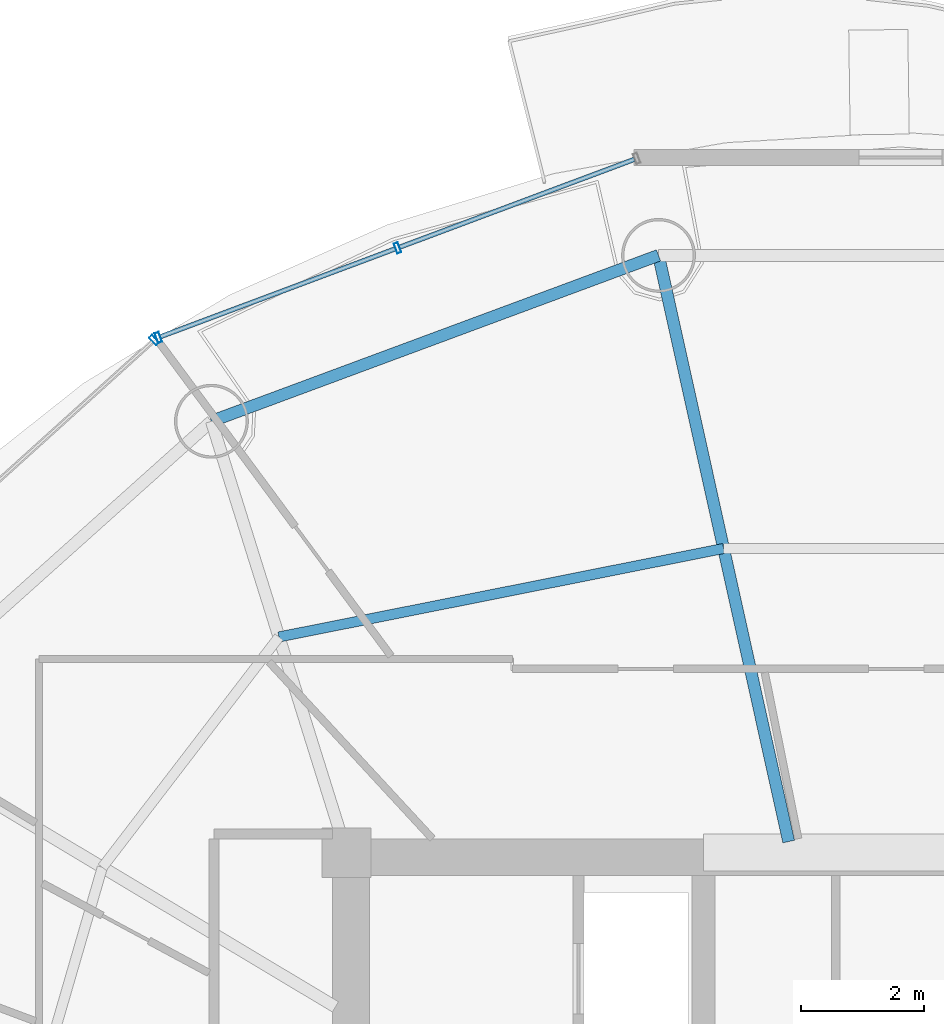
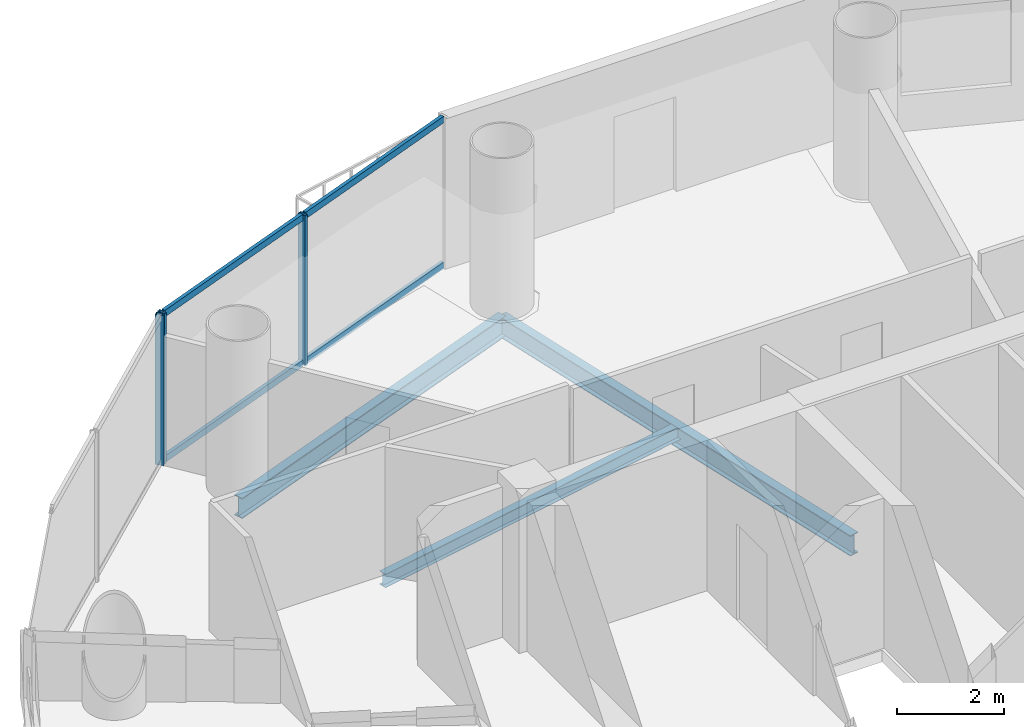
# One storey, part 15 of 26: 7 members, 3 beams, 2 elements without a shape of their own.
"""IFC4 building model written with IfcOpenShell, lengths in metres."""

from ifc_helpers import new_model, si_unit, direction, frame, origin, origin_2d, place, context, subcontext, project, spatial, hollow_rectangle, i_section, extrude, source, transform, mapped, material, material_profile, profile_set, type_object, element, aggregate, save


model = new_model("IFC4")

# Units and contexts
model_context = context("Model", 3, precision=1e-05, world=origin(), true_north=direction((-0.2419218956, 0.970295726276)))
body_context = subcontext(model_context, "Body", "Model", "MODEL_VIEW")
ifc_project = project(units=[si_unit("LENGTHUNIT", "METRE"), si_unit("AREAUNIT", "SQUARE_METRE"), si_unit("VOLUMEUNIT", "CUBIC_METRE"), si_unit("PLANEANGLEUNIT", "RADIAN"), si_unit("MASSUNIT", "GRAM", prefix="KILO")], contexts=[model_context])

# Site, building, storey
site_placement = place(None, origin())
site = spatial("IfcSite", under=ifc_project, at=site_placement, CompositionType="ELEMENT")
building_placement = place(site_placement, origin())
building = spatial("IfcBuilding", under=site, at=building_placement, Name="Cobrevalo Terracotta Tower", CompositionType="ELEMENT")
storey_placement = place(building_placement, frame((0.0, 0.0, 217.10009765625)))
storey = spatial("IfcBuildingStorey", under=building, at=storey_placement, Name="L57", CompositionType="ELEMENT", Elevation=217.10009765625)

# Beams
ifc_material_1 = material(Name="Steel S355", Category="steel")
ifc_material_profile_1 = material_profile(ifc_material_1, i_section(OverallWidth=0.194091796875, OverallDepth=0.468994140625, WebThickness=0.011474609375, FlangeThickness=0.0205078125, at=origin_2d()), Name="W 460x106")
ifc_profile_set_1 = profile_set([ifc_material_profile_1], Name="Steel S355")
beam_type_1 = type_object("IfcBeamType", Name="Structural Beam W 460x106 (Steel S355)", PredefinedType="BEAM", material=ifc_profile_set_1)
beam_1_placement = place(storey_placement, frame((34.06884765625, 44.503173828125, -0.49951171875), z_axis=(0.216782061165, -0.976220025382, 0.0), x_axis=(0.976220025382, 0.216782061165, 0.0)))
element("IfcBeam", 1, at=beam_1_placement, inside=storey, type_object=beam_type_1, Name="L57 radial floor girder 05", PredefinedType="BEAM", context=body_context, shape_type="SweptSolid", body=[
    extrude(i_section(OverallWidth=0.194091796875, OverallDepth=0.468994140625, WebThickness=0.011474609375, FlangeThickness=0.0205078125, at=origin_2d()), origin(), (0.0, 0.0, 1.0), 9.755126953125),
])
ifc_material_profile_2 = material_profile(ifc_material_1, i_section(OverallWidth=0.1650390625, OverallDepth=0.31005859375, WebThickness=0.005859375, FlangeThickness=0.009765625, at=origin_2d()), Name="W 310x38.7")
ifc_profile_set_2 = profile_set([ifc_material_profile_2], Name="Steel S355")
beam_type_2 = type_object("IfcBeamType", Name="Structural Joist W 310x38.7 (Steel S355)", PredefinedType="JOIST", material=ifc_profile_set_2)
beam_2_placement = place(storey_placement, frame((35.126220703125, 39.74169921875, -0.420166015625), z_axis=(-0.980762562197, -0.195204499418, 0.0), x_axis=(0.195204499418, -0.980762562197, 0.0)))
element("IfcBeam", 2, at=beam_2_placement, inside=storey, type_object=beam_type_2, Name="L57 circumferential secondary floor joist 05", PredefinedType="JOIST", context=body_context, shape_type="SweptSolid", body=[
    extrude(i_section(OverallWidth=0.1650390625, OverallDepth=0.31005859375, WebThickness=0.005859375, FlangeThickness=0.009765625, at=origin_2d()), origin(), (0.0, 0.0, 1.0), 7.365234375),
])
ifc_material_profile_3 = material_profile(ifc_material_1, i_section(OverallWidth=0.194091796875, OverallDepth=0.468994140625, WebThickness=0.011474609375, FlangeThickness=0.0205078125, at=origin_2d()), Name="W 460x106")
ifc_profile_set_3 = profile_set([ifc_material_profile_3], Name="Steel S355")
beam_type_3 = type_object("IfcBeamType", Name="Structural Spandrel W 460x106 (Steel S355)", PredefinedType="SPANDREL", material=ifc_profile_set_3)
beam_3_placement = place(storey_placement, frame((34.06884765625, 44.503173828125, -0.49951171875), z_axis=(-0.937545996665, -0.347861328892, 0.0), x_axis=(0.347861328892, -0.937545996665, 0.0)))
element("IfcBeam", 3, at=beam_3_placement, inside=storey, type_object=beam_type_3, Name="L57 perimeter ring spandrel 05", PredefinedType="SPANDREL", context=body_context, shape_type="SweptSolid", body=[
    extrude(i_section(OverallWidth=0.194091796875, OverallDepth=0.468994140625, WebThickness=0.011474609375, FlangeThickness=0.0205078125, at=origin_2d()), origin(), (0.0, 0.0, 1.0), 7.74755859375),
])

# Curtain wall, members
ifc_material_2 = material(Name="Anodized aluminium", Category="aluminium")
curtain_wall_type = type_object("IfcCurtainWallType", Name="Mid-tower high-wind unitised curtain wall CW-U2", PredefinedType="NOTDEFINED", material=ifc_material_2)
curtain_wall_1_placement = place(storey_placement, origin())
curtain_wall_1 = element("IfcCurtainWall", 4, at=curtain_wall_1_placement, inside=storey, type_object=curtain_wall_type, Name="L57 curtain wall CW-L57-S05", PredefinedType="NOTDEFINED")
ifc_material_profile_4 = material_profile(ifc_material_2, hollow_rectangle(XDim=0.074951171875, YDim=0.14990234375, WallThickness=0.00439453125, at=origin_2d()), Name="CWT 75x150")
ifc_profile_set_4 = profile_set([ifc_material_profile_4], Name="Anodized aluminium")
member_type_1 = type_object("IfcMemberType", Name="Tower unitised aluminium transom 75x150", PredefinedType="USERDEFINED", material=ifc_profile_set_4)
shared_shape_1 = source(origin(), body_context, "Body", "SweptSolid", [
    extrude(hollow_rectangle(XDim=0.074951171875, YDim=0.14990234375, WallThickness=0.00439453125, at=origin_2d()), origin(), (0.0, 0.0, 1.0), 4.069580078125),
])
member_1_placement = place(storey_placement, frame((29.79150390625, 44.609619140625, 0.0498046875), z_axis=(-0.936548420649, -0.350538237259, 0.0), x_axis=(0.350538237259, -0.936548420649, 0.0)))
member_1 = element("IfcMember", 5, at=member_1_placement, type_object=member_type_1, Name="CW-L57-S05 transom B02-T1", ObjectType="TRANSOM", PredefinedType="USERDEFINED", context=body_context, shape_type="MappedRepresentation", body=[
    mapped(shared_shape_1, transform((0.0, 0.0, 0.0), scale=1.0)),
])
member_2_placement = place(storey_placement, frame((29.79150390625, 44.609619140625, 3.385009765625), z_axis=(-0.936548420649, -0.350538237259, 0.0), x_axis=(0.350538237259, -0.936548420649, 0.0)))
member_2 = element("IfcMember", 6, at=member_2_placement, type_object=member_type_1, Name="CW-L57-S05 transom B02-T2", ObjectType="TRANSOM", PredefinedType="USERDEFINED", context=body_context, shape_type="MappedRepresentation", body=[
    mapped(shared_shape_1, transform((0.0, 0.0, 0.0), scale=1.0)),
])
shared_shape_2 = source(origin(), body_context, "Body", "SweptSolid", [
    extrude(hollow_rectangle(XDim=0.074951171875, YDim=0.14990234375, WallThickness=0.00439453125, at=origin_2d()), origin(), (0.0, 0.0, 1.0), 4.06982421875),
])
member_3_placement = place(storey_placement, frame((33.677978515625, 46.06396484375, 0.0498046875), z_axis=(-0.936555791772, -0.350518542873, 0.0), x_axis=(0.350518542873, -0.936555791772, 0.0)))
member_3 = element("IfcMember", 7, at=member_3_placement, type_object=member_type_1, Name="CW-L57-S05 transom B01-T1", ObjectType="TRANSOM", PredefinedType="USERDEFINED", context=body_context, shape_type="MappedRepresentation", body=[
    mapped(shared_shape_2, transform((0.0, 0.0, 0.0), scale=1.0)),
])
member_4_placement = place(storey_placement, frame((33.677978515625, 46.06396484375, 3.385009765625), z_axis=(-0.936555791772, -0.350518542873, 0.0), x_axis=(0.350518542873, -0.936555791772, 0.0)))
member_4 = element("IfcMember", 8, at=member_4_placement, type_object=member_type_1, Name="CW-L57-S05 transom B01-T2", ObjectType="TRANSOM", PredefinedType="USERDEFINED", context=body_context, shape_type="MappedRepresentation", body=[
    mapped(shared_shape_2, transform((0.0, 0.0, 0.0), scale=1.0)),
])
ifc_material_profile_5 = material_profile(ifc_material_2, hollow_rectangle(XDim=0.070068359375, YDim=0.169921875, WallThickness=0.00439453125, at=origin_2d()), Name="CWM 70x170")
ifc_profile_set_5 = profile_set([ifc_material_profile_5], Name="Anodized aluminium")
member_type_2 = type_object("IfcMemberType", Name="Upper tower unitised mullion 70x170", PredefinedType="MULLION", material=ifc_profile_set_5)
shared_shape_3 = source(origin(), body_context, "Body", "SweptSolid", [
    extrude(hollow_rectangle(XDim=0.070068359375, YDim=0.169921875, WallThickness=0.00439453125, at=origin_2d()), origin(), (0.0, 0.0, 1.0), 3.434814453125),
])
member_5_placement = place(storey_placement, frame((29.8291015625, 44.62353515625, 0.0), z_axis=(0.0, 0.0, 1.0), x_axis=(-0.936556004584, -0.350517974259, 0.0)))
member_5 = element("IfcMember", 9, at=member_5_placement, type_object=member_type_2, Name="CW-L57-S05 vertical mullion 02", PredefinedType="MULLION", context=body_context, shape_type="MappedRepresentation", body=[
    mapped(shared_shape_3, transform((0.0, 0.0, 0.0), scale=1.0)),
])
member_6_placement = place(storey_placement, frame((25.942626953125, 43.1689453125, 0.0), z_axis=(0.0, 0.0, 1.0), x_axis=(-0.936556004584, -0.350517974259, 0.0)))
member_6 = element("IfcMember", 10, at=member_6_placement, type_object=member_type_2, Name="CW-L57-S05 vertical mullion 03", PredefinedType="MULLION", context=body_context, shape_type="MappedRepresentation", body=[
    mapped(shared_shape_3, transform((0.0, 0.0, 0.0), scale=1.0)),
])
aggregate(curtain_wall_1, [member_5, member_6, member_3, member_4, member_1, member_2])

# Curtain wall, member
curtain_wall_2_placement = place(storey_placement, origin())
curtain_wall_2 = element("IfcCurtainWall", 11, at=curtain_wall_2_placement, inside=storey, type_object=curtain_wall_type, Name="L57 curtain wall CW-L57-S06", PredefinedType="NOTDEFINED")
member_7_placement = place(storey_placement, frame((25.87548828125, 43.128173828125, 0.0), z_axis=(0.0, 0.0, 1.0), x_axis=(-0.741987542015, -0.670413668935, 0.0)))
member_7 = element("IfcMember", 12, at=member_7_placement, type_object=member_type_2, Name="CW-L57-S06 vertical mullion 01", PredefinedType="MULLION", context=body_context, shape_type="MappedRepresentation", body=[
    mapped(shared_shape_3, transform((0.0, 0.0, 0.0), scale=1.0)),
])
aggregate(curtain_wall_2, [member_7])

save(model, "model.ifc")
